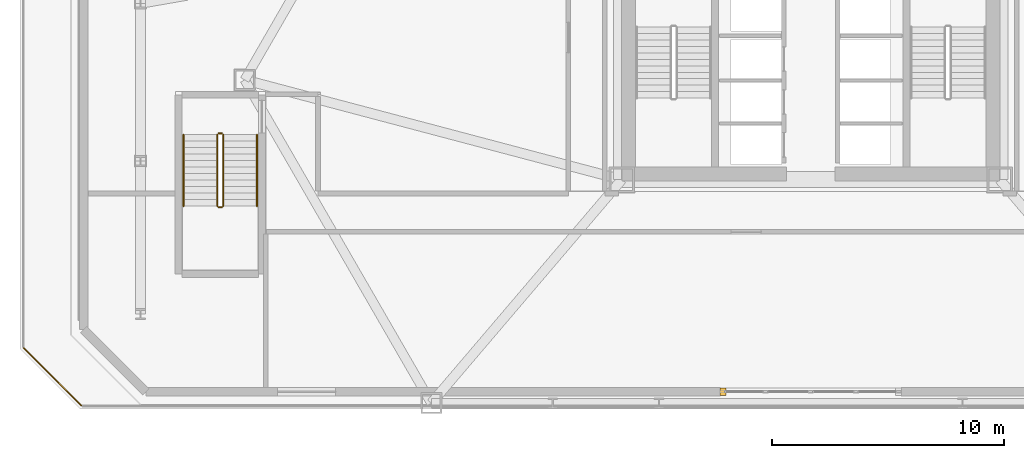
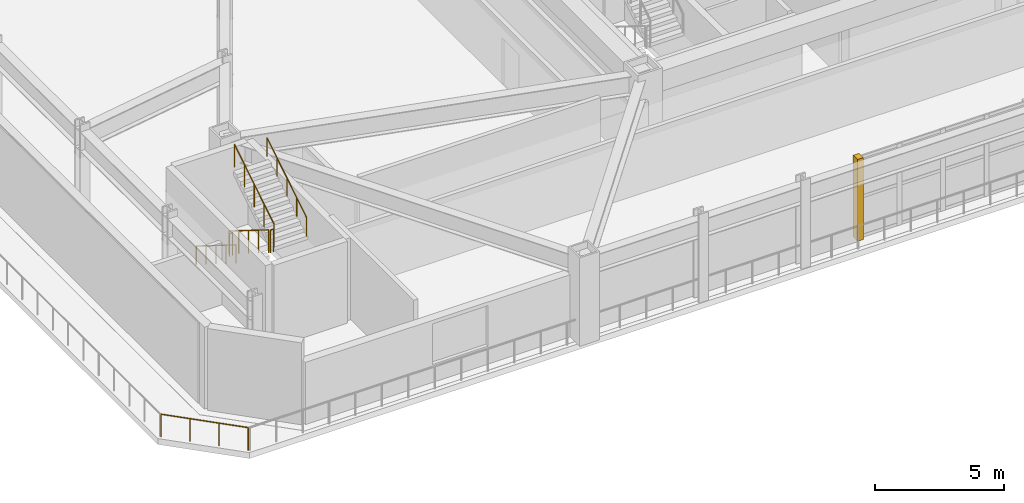
# One storey, part 14 of 22: 7 railings, 1 covering.
"""IFC4 building model written with IfcOpenShell, lengths in metres."""

from ifc_helpers import new_model, si_unit, direction, frame, origin, origin_2d, place, context, subcontext, project, spatial, rectangle, circle, extrude, material, layer, layer_set, type_object, element, save


model = new_model("IFC4")

# Units and contexts
model_context = context("Model", 3, precision=1e-05, world=origin(), true_north=direction((0.0, 1.0)))
body_context = subcontext(model_context, "Body", "Model", "MODEL_VIEW")
ifc_project = project(units=[si_unit("LENGTHUNIT", "METRE"), si_unit("AREAUNIT", "SQUARE_METRE"), si_unit("VOLUMEUNIT", "CUBIC_METRE"), si_unit("PLANEANGLEUNIT", "RADIAN"), si_unit("MASSUNIT", "GRAM", prefix="KILO")], contexts=[model_context])

# Site, building, storey
site_placement = place(None, origin())
site = spatial("IfcSite", under=ifc_project, at=site_placement, CompositionType="ELEMENT")
building_placement = place(site_placement, origin())
building = spatial("IfcBuilding", under=site, at=building_placement, Name="Oramaril Tower", CompositionType="ELEMENT")
storey_placement = place(building_placement, frame((0.0, 0.0, 18.300048828125)))
storey = spatial("IfcBuildingStorey", under=building, at=storey_placement, Name="L04", CompositionType="ELEMENT", Elevation=18.300048828125)

# Covering
ifc_material_1 = material(Name="Warm Cream Limestone", Category="masonry")
ifc_layer = layer(ifc_material_1, 0.050048828125)
ifc_layer_set = layer_set([ifc_layer], Name="CVT-CLD")
covering_type = type_object("IfcCoveringType", Name="CVT-CLD", PredefinedType="CLADDING", material=ifc_layer_set)
covering_placement = place(storey_placement, frame((33.719970703125, 1.85009765625, 0.0), z_axis=(0.0, 0.0, 1.0), x_axis=(1.0, 0.0, 0.0)))
element("IfcCovering", 1, at=covering_placement, inside=storey, type_object=covering_type, Name="L04 Curtain Wall Limestone Jamb Closure", PredefinedType="CLADDING", context=body_context, shape_type="SweptSolid", body=[
    extrude(rectangle(XDim=0.260009765625, YDim=0.340087890625, at=origin_2d()), origin(), (0.0, 0.0, 1.0), 3.8798828125),
])

# Railings
ifc_material_2 = material(Name="Stainless Steel 316L", Category="steel")
railing_type_1 = type_object("IfcRailingType", Name="RLT-GRD", PredefinedType="GUARDRAIL", material=ifc_material_2)
railing_1_placement = place(storey_placement, frame((3.561279296875, 3.73681640625, 0.0)))
element("IfcRailing", 2, at=railing_1_placement, inside=storey, type_object=railing_type_1, Name="L04 Podium Terrace Guardrail 08", PredefinedType="GUARDRAIL", context=body_context, shape_type="SweptSolid", body=[
    extrude(circle(Radius=0.02392578125, at=origin_2d()), frame((0.0, 0.0, 1.076171875), z_axis=(0.707106781187, -0.707106781187, 0.0), x_axis=(0.707106781187, 0.707106781187, 0.0)), (0.0, 0.0, 1.0), 3.5009765625),
    extrude(circle(Radius=0.02099609375, at=origin_2d()), origin(), (0.0, 0.0, 1.0), 1.052001953125),
    extrude(circle(Radius=0.02099609375, at=origin_2d()), frame((0.8251953125, -0.8251953125, 0.0)), (0.0, 0.0, 1.0), 1.052001953125),
    extrude(circle(Radius=0.02099609375, at=origin_2d()), frame((1.650390625, -1.650390625, 0.0)), (0.0, 0.0, 1.0), 1.052001953125),
    extrude(circle(Radius=0.02099609375, at=origin_2d()), frame((2.4755859375, -2.4755859375, 0.0)), (0.0, 0.0, 1.0), 1.052001953125),
])
railing_2_placement = place(storey_placement, frame((11.909912109375, 12.93994140625, 0.175048828125)))
element("IfcRailing", 3, at=railing_2_placement, inside=storey, type_object=railing_type_1, Name="L04 ST-3 stair guard 1", PredefinedType="GUARDRAIL", context=body_context, shape_type="SweptSolid", body=[
    extrude(circle(Radius=0.02392578125, at=origin_2d()), frame((0.0, 0.0, 1.076171875), z_axis=(0.0, -0.848009633417, 0.529980812513), x_axis=(1.0, 0.0, 0.0)), (0.0, 0.0, 1.0), 3.6318359375),
    extrude(circle(Radius=0.02099609375, at=origin_2d()), origin(), (0.0, 0.0, 1.0), 1.052001953125),
    extrude(circle(Radius=0.02099609375, at=origin_2d()), frame((0.0, -0.77001953125, 0.481201171875)), (0.0, 0.0, 1.0), 1.052001953125),
    extrude(circle(Radius=0.02099609375, at=origin_2d()), frame((0.0, -1.5400390625, 0.96240234375)), (0.0, 0.0, 1.0), 1.052001953125),
    extrude(circle(Radius=0.02099609375, at=origin_2d()), frame((0.0, -2.309814453125, 1.443603515625)), (0.0, 0.0, 1.0), 1.052001953125),
    extrude(circle(Radius=0.02099609375, at=origin_2d()), frame((0.0, -3.079833984375, 1.9248046875)), (0.0, 0.0, 1.0), 1.052001953125),
])
railing_3_placement = place(storey_placement, frame((11.9599609375, 9.81005859375, 2.099853515625)))
element("IfcRailing", 4, at=railing_3_placement, inside=storey, type_object=railing_type_1, Name="L04 ST-3 stair guard 2", PredefinedType="GUARDRAIL", context=body_context, shape_type="SweptSolid", body=[
    extrude(circle(Radius=0.02392578125, at=origin_2d()), frame((0.0, 0.0, 1.076171875), z_axis=(1.0, 0.0, 0.0), x_axis=(0.0, 1.0, 0.0)), (0.0, 0.0, 1.0), 0.150146484375),
    extrude(circle(Radius=0.02099609375, at=origin_2d()), origin(), (0.0, 0.0, 1.0), 1.052001953125),
    extrude(circle(Radius=0.02099609375, at=origin_2d()), frame((0.150146484375, 0.0, 0.0)), (0.0, 0.0, 1.0), 1.052001953125),
])
railing_4_placement = place(storey_placement, frame((12.159912109375, 9.860107421875, 2.27490234375)))
element("IfcRailing", 5, at=railing_4_placement, inside=storey, type_object=railing_type_1, Name="L04 ST-3 stair guard 3", PredefinedType="GUARDRAIL", context=body_context, shape_type="SweptSolid", body=[
    extrude(circle(Radius=0.02392578125, at=origin_2d()), frame((0.0, 0.0, 1.076171875), z_axis=(0.0, 0.847979421464, 0.530029150871), x_axis=(-1.0, 0.0, 0.0)), (0.0, 0.0, 1.0), 3.632080078125),
    extrude(circle(Radius=0.02099609375, at=origin_2d()), origin(), (0.0, 0.0, 1.0), 1.052001953125),
    extrude(circle(Radius=0.02099609375, at=origin_2d()), frame((0.0, 0.77001953125, 0.481201171875)), (0.0, 0.0, 1.0), 1.052001953125),
    extrude(circle(Radius=0.02099609375, at=origin_2d()), frame((0.0, 1.5400390625, 0.96240234375)), (0.0, 0.0, 1.0), 1.052001953125),
    extrude(circle(Radius=0.02099609375, at=origin_2d()), frame((0.0, 2.309814453125, 1.44384765625)), (0.0, 0.0, 1.0), 1.052001953125),
    extrude(circle(Radius=0.02099609375, at=origin_2d()), frame((0.0, 3.079833984375, 1.925048828125)), (0.0, 0.0, 1.0), 1.052001953125),
])
railing_5_placement = place(storey_placement, frame((11.9599609375, 12.989990234375, 0.0)))
element("IfcRailing", 6, at=railing_5_placement, inside=storey, type_object=railing_type_1, Name="L04 ST-3 stair guard 4", PredefinedType="GUARDRAIL", context=body_context, shape_type="SweptSolid", body=[
    extrude(circle(Radius=0.02392578125, at=origin_2d()), frame((0.0, 0.0, 1.076171875), z_axis=(1.0, 0.0, 0.0), x_axis=(0.0, 1.0, 0.0)), (0.0, 0.0, 1.0), 0.150146484375),
    extrude(circle(Radius=0.02099609375, at=origin_2d()), origin(), (0.0, 0.0, 1.0), 1.052001953125),
    extrude(circle(Radius=0.02099609375, at=origin_2d()), frame((0.150146484375, 0.0, 0.0)), (0.0, 0.0, 1.0), 1.052001953125),
])
ifc_material_3 = material(Name="Stainless Steel 316L", Category="steel")
railing_type_2 = type_object("IfcRailingType", Name="RLT-HND", PredefinedType="HANDRAIL", material=ifc_material_3)
railing_6_placement = place(storey_placement, frame((10.449951171875, 12.93994140625, 0.175048828125)))
element("IfcRailing", 7, at=railing_6_placement, inside=storey, type_object=railing_type_2, Name="L04 ST-3 stair handrail 1", PredefinedType="HANDRAIL", context=body_context, shape_type="SweptSolid", body=[
    extrude(circle(Radius=0.02392578125, at=origin_2d()), frame((0.0, 0.0, 0.8759765625), z_axis=(0.0, -0.848009633417, 0.529980812513), x_axis=(1.0, 0.0, 0.0)), (0.0, 0.0, 1.0), 3.6318359375),
    extrude(circle(Radius=0.02099609375, at=origin_2d()), origin(), (0.0, 0.0, 1.0), 0.851806640625),
    extrude(circle(Radius=0.02099609375, at=origin_2d()), frame((0.0, -0.77001953125, 0.481201171875)), (0.0, 0.0, 1.0), 0.851806640625),
    extrude(circle(Radius=0.02099609375, at=origin_2d()), frame((0.0, -1.5400390625, 0.96240234375)), (0.0, 0.0, 1.0), 0.851806640625),
    extrude(circle(Radius=0.02099609375, at=origin_2d()), frame((0.0, -2.309814453125, 1.443603515625)), (0.0, 0.0, 1.0), 0.851806640625),
    extrude(circle(Radius=0.02099609375, at=origin_2d()), frame((0.0, -3.079833984375, 1.9248046875)), (0.0, 0.0, 1.0), 0.851806640625),
])
railing_7_placement = place(storey_placement, frame((13.6201171875, 9.860107421875, 2.27490234375)))
element("IfcRailing", 8, at=railing_7_placement, inside=storey, type_object=railing_type_2, Name="L04 ST-3 stair handrail 2", PredefinedType="HANDRAIL", context=body_context, shape_type="SweptSolid", body=[
    extrude(circle(Radius=0.02392578125, at=origin_2d()), frame((0.0, 0.0, 0.8759765625), z_axis=(0.0, 0.847979421464, 0.530029150871), x_axis=(-1.0, 0.0, 0.0)), (0.0, 0.0, 1.0), 3.632080078125),
    extrude(circle(Radius=0.02099609375, at=origin_2d()), origin(), (0.0, 0.0, 1.0), 0.851806640625),
    extrude(circle(Radius=0.02099609375, at=origin_2d()), frame((0.0, 0.77001953125, 0.481201171875)), (0.0, 0.0, 1.0), 0.851806640625),
    extrude(circle(Radius=0.02099609375, at=origin_2d()), frame((0.0, 1.5400390625, 0.96240234375)), (0.0, 0.0, 1.0), 0.851806640625),
    extrude(circle(Radius=0.02099609375, at=origin_2d()), frame((0.0, 2.309814453125, 1.44384765625)), (0.0, 0.0, 1.0), 0.851806640625),
    extrude(circle(Radius=0.02099609375, at=origin_2d()), frame((0.0, 3.079833984375, 1.925048828125)), (0.0, 0.0, 1.0), 0.851806640625),
])

save(model, "model.ifc")
